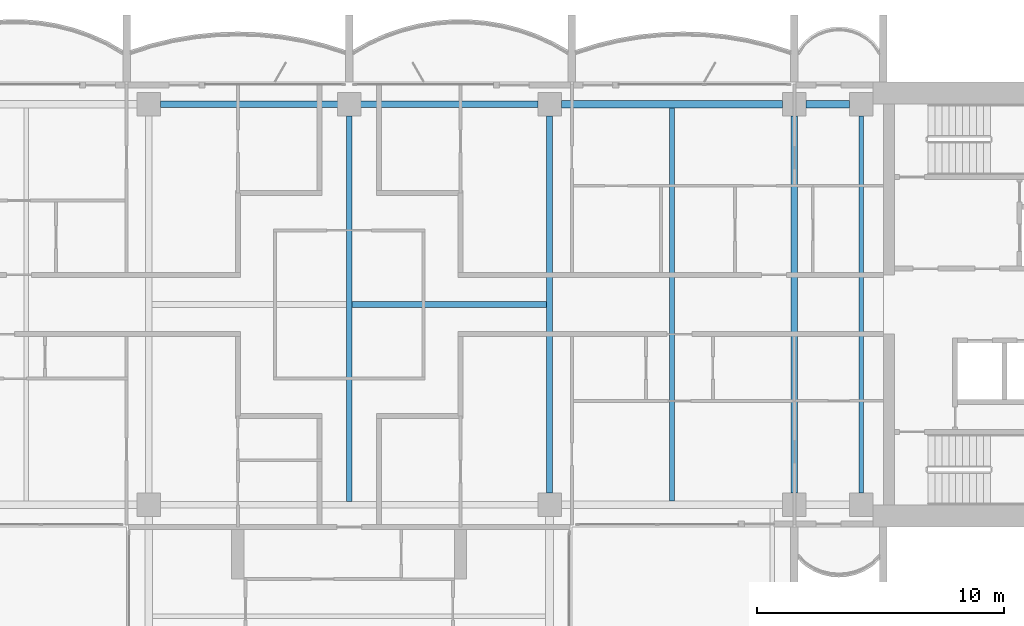
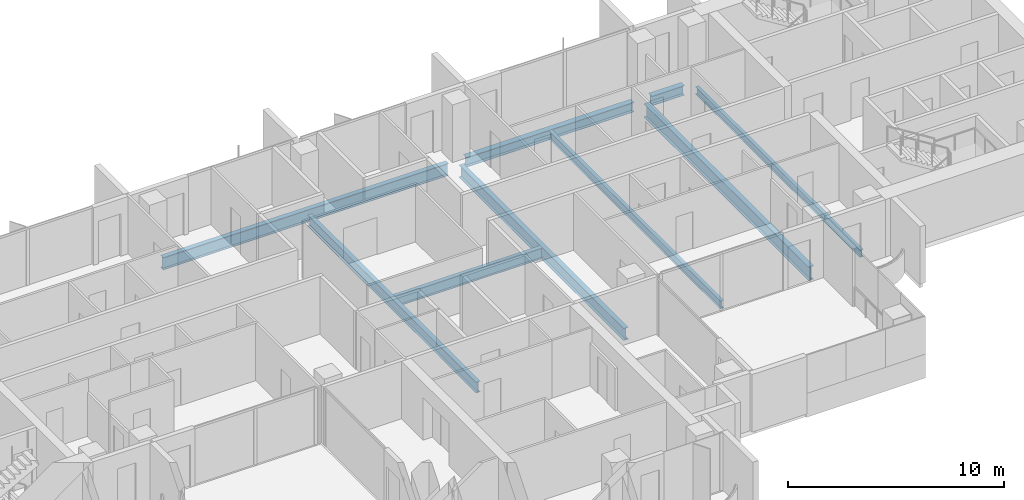
# One storey, part 4 of 17: 9 beams.
"""IFC4 building model written with IfcOpenShell, lengths in metres."""

from ifc_helpers import new_model, si_unit, direction, frame, origin, origin_2d, place, context, subcontext, project, spatial, i_section, extrude, material, material_profile, profile_set, type_object, element, save


model = new_model("IFC4")

# Units and contexts
model_context = context("Model", 3, precision=1e-05, world=origin(), true_north=direction((0.0, 1.0)))
body_context = subcontext(model_context, "Body", "Model", "MODEL_VIEW")
ifc_project = project(units=[si_unit("LENGTHUNIT", "METRE"), si_unit("AREAUNIT", "SQUARE_METRE"), si_unit("VOLUMEUNIT", "CUBIC_METRE"), si_unit("PLANEANGLEUNIT", "RADIAN"), si_unit("MASSUNIT", "GRAM", prefix="KILO")], contexts=[model_context])

# Site, building, storey
site_placement = place(None, origin())
site = spatial("IfcSite", under=ifc_project, at=site_placement, CompositionType="ELEMENT")
building_placement = place(site_placement, origin())
building = spatial("IfcBuilding", under=site, at=building_placement, Name="Perihelion Cross Residences", CompositionType="ELEMENT")
storey_placement = place(building_placement, frame((0.0, 0.0, 201.60009765625)))
storey = spatial("IfcBuildingStorey", under=building, at=storey_placement, Name="L50", CompositionType="ELEMENT", Elevation=201.60009765625)

# Beams
ifc_material_1 = material(Name="Steel S355", Category="steel")
ifc_material_profile_1 = material_profile(ifc_material_1, i_section(OverallWidth=0.180908203125, OverallDepth=0.4169921875, WebThickness=0.010986328125, FlangeThickness=0.018310546875, at=origin_2d()), Name="W410x85")
ifc_profile_set_1 = profile_set([ifc_material_profile_1], Name="Steel S355")
beam_type_1 = type_object("IfcBeamType", Name="Core edge beam W410x85", PredefinedType="BEAM", material=ifc_profile_set_1)
beam_1_placement = place(storey_placement, frame((20.699951171875, -7.625, -0.45849609375), z_axis=(0.0, 1.0, 0.0), x_axis=(-1.0, 0.0, 0.0)))
element("IfcBeam", 1, at=beam_1_placement, inside=storey, type_object=beam_type_1, Name="Core edge beam TB6 L50 no. 2", PredefinedType="BEAM", context=body_context, shape_type="SweptSolid", body=[
    extrude(i_section(OverallWidth=0.180908203125, OverallDepth=0.4169921875, WebThickness=0.010986328125, FlangeThickness=0.018310546875, at=origin_2d()), origin(), (0.0, 0.0, 1.0), 15.25),
])
ifc_material_2 = material(Name="Steel S355", Category="steel")
ifc_material_profile_2 = material_profile(ifc_material_2, i_section(OverallWidth=0.31201171875, OverallDepth=0.5439453125, WebThickness=0.0126953125, FlangeThickness=0.020263671875, at=origin_2d()), Name="W530x150")
ifc_profile_set_2 = profile_set([ifc_material_profile_2], Name="Steel S355")
beam_type_2 = type_object("IfcBeamType", Name="Edge beam W530x150", PredefinedType="SPANDREL", material=ifc_profile_set_2)
beam_2_placement = place(storey_placement, frame((20.22509765625, 8.10009765625, -0.522216796875), z_axis=(-1.0, 0.0, 0.0), x_axis=(0.0, -1.0, 0.0)))
element("IfcBeam", 2, at=beam_2_placement, inside=storey, type_object=beam_type_2, Name="Edge beam SB4 L50 no. 10", PredefinedType="SPANDREL", context=body_context, shape_type="SweptSolid", body=[
    extrude(i_section(OverallWidth=0.31201171875, OverallDepth=0.5439453125, WebThickness=0.0126953125, FlangeThickness=0.020263671875, at=origin_2d()), origin(), (0.0, 0.0, 1.0), 1.75),
])
beam_3_placement = place(storey_placement, frame((17.52490234375, 8.10009765625, -0.522216796875), z_axis=(-1.0, 0.0, 0.0), x_axis=(0.0, -1.0, 0.0)))
element("IfcBeam", 3, at=beam_3_placement, inside=storey, type_object=beam_type_2, Name="Edge beam SB4 L50 no. 9", PredefinedType="SPANDREL", context=body_context, shape_type="SweptSolid", body=[
    extrude(i_section(OverallWidth=0.31201171875, OverallDepth=0.5439453125, WebThickness=0.0126953125, FlangeThickness=0.020263671875, at=origin_2d()), origin(), (0.0, 0.0, 1.0), 8.949951171875),
])
ifc_material_3 = material(Name="Steel S355", Category="steel")
ifc_material_profile_3 = material_profile(ifc_material_3, i_section(OverallWidth=0.26708984375, OverallDepth=0.77001953125, WebThickness=0.015625, FlangeThickness=0.025390625, at=origin_2d()), Name="W760x196")
ifc_profile_set_3 = profile_set([ifc_material_profile_3], Name="Steel S355")
beam_type_3 = type_object("IfcBeamType", Name="Floor girder W760x196", PredefinedType="BEAM", material=ifc_profile_set_3)
beam_4_placement = place(storey_placement, frame((18.0, -7.625, -0.635009765625), z_axis=(0.0, 1.0, 0.0), x_axis=(-1.0, 0.0, 0.0)))
element("IfcBeam", 4, at=beam_4_placement, inside=storey, type_object=beam_type_3, Name="Girder G4 L50 no. 2", PredefinedType="BEAM", context=body_context, shape_type="SweptSolid", body=[
    extrude(i_section(OverallWidth=0.26708984375, OverallDepth=0.77001953125, WebThickness=0.015625, FlangeThickness=0.025390625, at=origin_2d()), origin(), (0.0, 0.0, 1.0), 15.25),
])
ifc_material_4 = material(Name="Steel S355", Category="steel")
ifc_material_profile_4 = material_profile(ifc_material_4, i_section(OverallWidth=0.19091796875, OverallDepth=0.45703125, WebThickness=0.009033203125, FlangeThickness=0.014404296875, at=origin_2d()), Name="W460x74")
ifc_profile_set_4 = profile_set([ifc_material_profile_4], Name="Steel S355")
beam_type_4 = type_object("IfcBeamType", Name="Floor joist W460x74", PredefinedType="JOIST", material=ifc_profile_set_4)
beam_5_placement = place(storey_placement, frame((13.050048828125, -7.944091796875, -0.478515625), z_axis=(0.0, 1.0, 0.0), x_axis=(-1.0, 0.0, 0.0)))
element("IfcBeam", 5, at=beam_5_placement, inside=storey, type_object=beam_type_4, Name="Joist J5 L50 no. 2", PredefinedType="JOIST", context=body_context, shape_type="SweptSolid", body=[
    extrude(i_section(OverallWidth=0.19091796875, OverallDepth=0.45703125, WebThickness=0.009033203125, FlangeThickness=0.014404296875, at=origin_2d()), origin(), (0.0, 0.0, 1.0), 15.88818359375),
])
ifc_material_5 = material(Name="Steel S355", Category="steel")
ifc_material_profile_5 = material_profile(ifc_material_5, i_section(OverallWidth=0.22900390625, OverallDepth=0.612060546875, WebThickness=0.011962890625, FlangeThickness=0.01953125, at=origin_2d()), Name="W610x125")
ifc_profile_set_5 = profile_set([ifc_material_profile_5], Name="Steel S355")
beam_type_5 = type_object("IfcBeamType", Name="Hub cross beam W610x125", PredefinedType="BEAM", material=ifc_profile_set_5)
beam_6_placement = place(storey_placement, frame((0.0, -7.971435546875, -0.55615234375), z_axis=(0.0, 1.0, 0.0), x_axis=(-1.0, 0.0, 0.0)))
element("IfcBeam", 6, at=beam_6_placement, inside=storey, type_object=beam_type_5, Name="Hub cross beam XB4 L50 no. 1", PredefinedType="BEAM", context=body_context, shape_type="SweptSolid", body=[
    extrude(i_section(OverallWidth=0.22900390625, OverallDepth=0.612060546875, WebThickness=0.011962890625, FlangeThickness=0.01953125, at=origin_2d()), origin(), (0.0, 0.0, 1.0), 15.596435546875),
])
beam_7_placement = place(storey_placement, frame((0.114501953125, 0.0, -0.55615234375), z_axis=(1.0, 0.0, 0.0), x_axis=(0.0, 1.0, 0.0)))
element("IfcBeam", 7, at=beam_7_placement, inside=storey, type_object=beam_type_5, Name="Hub cross beam XB4 L50 2 no. 1", PredefinedType="BEAM", context=body_context, shape_type="SweptSolid", body=[
    extrude(i_section(OverallWidth=0.22900390625, OverallDepth=0.612060546875, WebThickness=0.011962890625, FlangeThickness=0.01953125, at=origin_2d()), origin(), (0.0, 0.0, 1.0), 7.85693359375),
])
ifc_material_6 = material(Name="Steel S355", Category="steel")
ifc_material_profile_6 = material_profile(ifc_material_6, i_section(OverallWidth=0.257080078125, OverallDepth=0.693115234375, WebThickness=0.014404296875, FlangeThickness=0.023681640625, at=origin_2d()), Name="W690x170")
ifc_profile_set_6 = profile_set([ifc_material_profile_6], Name="Steel S355")
beam_type_6 = type_object("IfcBeamType", Name="Hub ring girder W690x170", PredefinedType="BEAM", material=ifc_profile_set_6)
for number, where, z_axis, x_axis, name in (
    (8, (8.10009765625, -7.625, -0.5966796875), (0.0, 1.0, 0.0), (-1.0, 0.0, 0.0), "Hub ring girder RG4 L50 no. 3"),
    (9, (7.625, 8.10009765625, -0.5966796875), (-1.0, 0.0, 0.0), (0.0, -1.0, 0.0), "Hub ring girder RG4 L50 no. 4"),
):
    element("IfcBeam", number, at=place(storey_placement, frame(where, z_axis=z_axis, x_axis=x_axis)), inside=storey, type_object=beam_type_6, Name=name, PredefinedType="BEAM", context=body_context, shape_type="SweptSolid", body=[
        extrude(i_section(OverallWidth=0.257080078125, OverallDepth=0.693115234375, WebThickness=0.014404296875, FlangeThickness=0.023681640625, at=origin_2d()), origin(), (0.0, 0.0, 1.0), 15.25),
    ])

save(model, "model.ifc")
